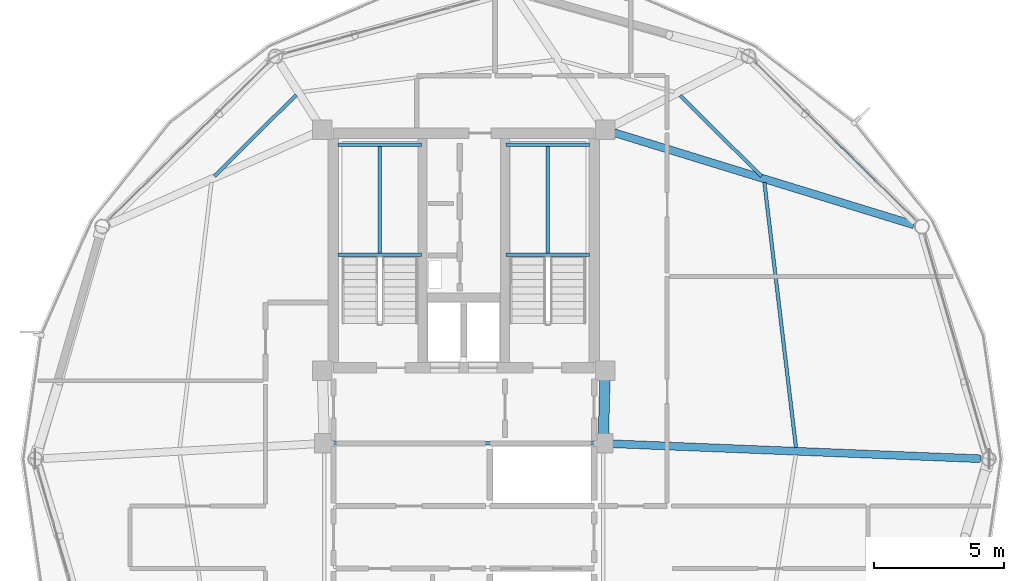
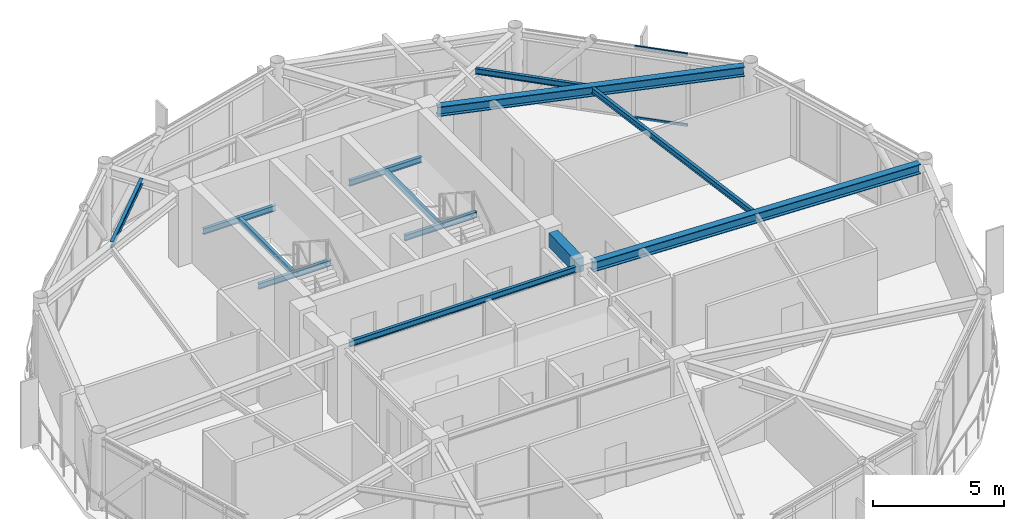
# One storey, part 13 of 25: 13 beams, 2 members, 1 element without a shape of its own.
"""IFC4 building model written with IfcOpenShell, lengths in metres."""

from ifc_helpers import new_model, si_unit, direction, frame, origin, origin_2d, place, context, subcontext, project, spatial, rectangle, hollow_rectangle, i_section, extrude, material, layer, layer_set, material_profile, profile_set, type_object, element, aggregate, save


model = new_model("IFC4")

# Units and contexts
model_context = context("Model", 3, precision=1e-05, world=origin(), true_north=direction((0.0, 1.0)))
body_context = subcontext(model_context, "Body", "Model", "MODEL_VIEW")
ifc_project = project(units=[si_unit("LENGTHUNIT", "METRE"), si_unit("AREAUNIT", "SQUARE_METRE"), si_unit("VOLUMEUNIT", "CUBIC_METRE"), si_unit("PLANEANGLEUNIT", "RADIAN"), si_unit("MASSUNIT", "GRAM", prefix="KILO")], contexts=[model_context])

# Site, building, storey
site_placement = place(None, origin())
site = spatial("IfcSite", under=ifc_project, at=site_placement, CompositionType="ELEMENT")
building_placement = place(site_placement, origin())
building = spatial("IfcBuilding", under=site, at=building_placement, Name="Varnakorn Sky Granary", CompositionType="ELEMENT")
storey_placement = place(building_placement, frame((0.0, 0.0, 259.800048828125)))
storey = spatial("IfcBuildingStorey", under=building, at=storey_placement, Name="L66", CompositionType="ELEMENT", Elevation=259.800048828125)

# Beams
ifc_material_1 = material(Name="Concrete C50/60", Category="concrete")
ifc_material_profile_1 = material_profile(ifc_material_1, rectangle(XDim=0.39990234375, YDim=0.64990234375, at=origin_2d()), Name="RC 400x650")
ifc_profile_set_1 = profile_set([ifc_material_profile_1], Name="Concrete C50/60")
beam_type_1 = type_object("IfcBeamType", Name="BM-LIN-650", PredefinedType="LINTEL", material=ifc_profile_set_1)
beam_1_placement = place(storey_placement, frame((8.4111328125, 3.025146484375, 3.034912109375), z_axis=(-0.025227817192, -0.999681727971, 0.0), x_axis=(0.999681727971, -0.025227817192, 0.0)))
element("IfcBeam", 1, at=beam_1_placement, inside=storey, type_object=beam_type_1, Name="Core Spine Framing Beam 2 L66", PredefinedType="LINTEL", context=body_context, shape_type="SweptSolid", body=[
    extrude(rectangle(XDim=0.39990234375, YDim=0.64990234375, at=origin_2d()), origin(), (0.0, 0.0, 1.0), 2.071044921875),
])
ifc_material_2 = material(Name="Steel S355JR", Category="steel")
ifc_material_profile_2 = material_profile(ifc_material_2, i_section(OverallWidth=0.135009765625, OverallDepth=0.27001953125, WebThickness=0.006591796875, FlangeThickness=0.01025390625, at=origin_2d()), Name="IPE 270")
ifc_profile_set_2 = profile_set([ifc_material_profile_2], Name="Steel S355JR")
beam_type_2 = type_object("IfcBeamType", Name="BM-LND-270", PredefinedType="BEAM", material=ifc_profile_set_2)
for number, where, z_axis, x_axis, name in (
    (2, (-1.820068359375, 7.840087890625, 1.46484375), (1.0, 0.0, 0.0), (0.0, 1.0, 0.0), "Stair ST-1 Landing Trimmer Beam A L66-1"),
    (3, (-1.820068359375, 12.06005859375, 1.46484375), (1.0, 0.0, 0.0), (0.0, 1.0, 0.0), "Stair ST-1 Landing Trimmer Beam B L66-1"),
):
    element("IfcBeam", number, at=place(storey_placement, frame(where, z_axis=z_axis, x_axis=x_axis)), inside=storey, type_object=beam_type_2, Name=name, PredefinedType="BEAM", context=body_context, shape_type="SweptSolid", body=[
        extrude(i_section(OverallWidth=0.135009765625, OverallDepth=0.27001953125, WebThickness=0.006591796875, FlangeThickness=0.01025390625, at=origin_2d()), origin(), (0.0, 0.0, 1.0), 3.199951171875),
    ])
beam_2_placement = place(storey_placement, frame((-0.219970703125, 7.840087890625, 1.46484375), z_axis=(0.0, 1.0, 0.0), x_axis=(-1.0, 0.0, 0.0)))
element("IfcBeam", 4, at=beam_2_placement, inside=storey, type_object=beam_type_2, Name="Stair ST-1 Landing Cross Beam C L66-1", PredefinedType="BEAM", context=body_context, shape_type="SweptSolid", body=[
    extrude(i_section(OverallWidth=0.135009765625, OverallDepth=0.27001953125, WebThickness=0.006591796875, FlangeThickness=0.01025390625, at=origin_2d()), origin(), (0.0, 0.0, 1.0), 4.219970703125),
])
for number, where, z_axis, x_axis, name in (
    (5, (4.6201171875, 7.840087890625, 1.46484375), (1.0, 0.0, 0.0), (0.0, 1.0, 0.0), "Stair ST-2 Landing Trimmer Beam A L66-1"),
    (6, (4.6201171875, 12.06005859375, 1.46484375), (1.0, 0.0, 0.0), (0.0, 1.0, 0.0), "Stair ST-2 Landing Trimmer Beam B L66-1"),
):
    element("IfcBeam", number, at=place(storey_placement, frame(where, z_axis=z_axis, x_axis=x_axis)), inside=storey, type_object=beam_type_2, Name=name, PredefinedType="BEAM", context=body_context, shape_type="SweptSolid", body=[
        extrude(i_section(OverallWidth=0.135009765625, OverallDepth=0.27001953125, WebThickness=0.006591796875, FlangeThickness=0.01025390625, at=origin_2d()), origin(), (0.0, 0.0, 1.0), 3.199951171875),
    ])
beam_3_placement = place(storey_placement, frame((6.219970703125, 7.840087890625, 1.46484375), z_axis=(0.0, 1.0, 0.0), x_axis=(-1.0, 0.0, 0.0)))
element("IfcBeam", 7, at=beam_3_placement, inside=storey, type_object=beam_type_2, Name="Stair ST-2 Landing Cross Beam C L66-1", PredefinedType="BEAM", context=body_context, shape_type="SweptSolid", body=[
    extrude(i_section(OverallWidth=0.135009765625, OverallDepth=0.27001953125, WebThickness=0.006591796875, FlangeThickness=0.01025390625, at=origin_2d()), origin(), (0.0, 0.0, 1.0), 4.219970703125),
])
ifc_material_profile_3 = material_profile(ifc_material_2, i_section(OverallWidth=0.300048828125, OverallDepth=0.449951171875, WebThickness=0.013916015625, FlangeThickness=0.02587890625, at=origin_2d()), Name="HE 450 B")
ifc_profile_set_3 = profile_set([ifc_material_profile_3], Name="Steel S355JR")
beam_type_3 = type_object("IfcBeamType", Name="BM-RAD-Z5", PredefinedType="BEAM", material=ifc_profile_set_3)
beam_4_placement = place(storey_placement, frame((8.70458984375, 0.58544921875, 3.135009765625), z_axis=(0.999170984413, -0.040710488919, 0.0), x_axis=(0.040710488919, 0.999170984413, 0.0)))
element("IfcBeam", 8, at=beam_4_placement, inside=storey, type_object=beam_type_3, Name="Radial Floor Girder RG01 L66", PredefinedType="BEAM", context=body_context, shape_type="SweptSolid", body=[
    extrude(i_section(OverallWidth=0.300048828125, OverallDepth=0.449951171875, WebThickness=0.013916015625, FlangeThickness=0.02587890625, at=origin_2d()), origin(), (0.0, 0.0, 1.0), 14.116943359375),
])
beam_5_placement = place(storey_placement, frame((8.75927734375, 12.515625, 3.135009765625), z_axis=(0.955840832803, -0.293884845384, 0.0), x_axis=(0.293884845384, 0.955840832803, 0.0)))
element("IfcBeam", 9, at=beam_5_placement, inside=storey, type_object=beam_type_3, Name="Radial Floor Girder RG02 L66", PredefinedType="BEAM", context=body_context, shape_type="SweptSolid", body=[
    extrude(i_section(OverallWidth=0.300048828125, OverallDepth=0.449951171875, WebThickness=0.013916015625, FlangeThickness=0.02587890625, at=origin_2d()), origin(), (0.0, 0.0, 1.0), 12.034912109375),
])
ifc_material_profile_4 = material_profile(ifc_material_2, i_section(OverallWidth=0.135009765625, OverallDepth=0.27001953125, WebThickness=0.006591796875, FlangeThickness=0.01025390625, at=origin_2d()), Name="IPE 270")
ifc_profile_set_4 = profile_set([ifc_material_profile_4], Name="Steel S355JR")
beam_type_4 = type_object("IfcBeamType", Name="BM-SEC-Z5", PredefinedType="BEAM", material=ifc_profile_set_4)
beam_6_placement = place(storey_placement, frame((15.740478515625, 0.437255859375, 3.224853515625), z_axis=(-0.118412093868, 0.992964539158, 0.0), x_axis=(-0.992964539158, -0.118412093868, 0.0)))
element("IfcBeam", 10, at=beam_6_placement, inside=storey, type_object=beam_type_4, Name="Secondary Floor Chord Beam MSB01 L66", PredefinedType="BEAM", context=body_context, shape_type="SweptSolid", body=[
    extrude(i_section(OverallWidth=0.135009765625, OverallDepth=0.27001953125, WebThickness=0.006591796875, FlangeThickness=0.01025390625, at=origin_2d()), origin(), (0.0, 0.0, 1.0), 10.242919921875),
])
beam_7_placement = place(storey_placement, frame((14.41162109375, 10.845947265625, 3.224853515625), z_axis=(-0.70941062991, 0.704795401639, 0.0), x_axis=(-0.704795401639, -0.70941062991, 0.0)))
element("IfcBeam", 11, at=beam_7_placement, inside=storey, type_object=beam_type_4, Name="Secondary Floor Chord Beam MSB02 L66", PredefinedType="BEAM", context=body_context, shape_type="SweptSolid", body=[
    extrude(i_section(OverallWidth=0.135009765625, OverallDepth=0.27001953125, WebThickness=0.006591796875, FlangeThickness=0.01025390625, at=origin_2d()), origin(), (0.0, 0.0, 1.0), 4.390625),
])
beam_8_placement = place(storey_placement, frame((-3.4306640625, 13.9580078125, 3.224853515625), z_axis=(-0.708514888736, -0.70569586398, 0.0), x_axis=(0.70569586398, -0.708514888736, 0.0)))
element("IfcBeam", 12, at=beam_8_placement, inside=storey, type_object=beam_type_4, Name="Secondary Floor Chord Beam MSB05 L66", PredefinedType="BEAM", context=body_context, shape_type="SweptSolid", body=[
    extrude(i_section(OverallWidth=0.135009765625, OverallDepth=0.27001953125, WebThickness=0.006591796875, FlangeThickness=0.01025390625, at=origin_2d()), origin(), (0.0, 0.0, 1.0), 4.416748046875),
])
beam_9_placement = place(storey_placement, frame((-1.9951171875, 0.60009765625, 3.224853515625), z_axis=(1.0, 0.0, 0.0), x_axis=(0.0, 1.0, 0.0)))
element("IfcBeam", 13, at=beam_9_placement, inside=storey, type_object=beam_type_4, Name="Core Spine Framing Beam 5 L66", PredefinedType="BEAM", context=body_context, shape_type="SweptSolid", body=[
    extrude(i_section(OverallWidth=0.135009765625, OverallDepth=0.27001953125, WebThickness=0.006591796875, FlangeThickness=0.01025390625, at=origin_2d()), origin(), (0.0, 0.0, 1.0), 9.990234375),
])

# Curtain wall, members
ifc_material_3 = material(Name="Anodised Bronze Aluminium Alloy 6063-T6", Category="aluminium")
ifc_layer = layer(ifc_material_3, 0.159912109375, Name="Anodised Bronze Aluminium Alloy 6063-T6")
ifc_layer_set = layer_set([ifc_layer], Name="Anodised Bronze Aluminium Alloy 6063-T6")
curtain_wall_type = type_object("IfcCurtainWallType", Name="CW-OFF-1", PredefinedType="USERDEFINED", material=ifc_layer_set)
curtain_wall_placement = place(storey_placement, origin())
curtain_wall = element("IfcCurtainWall", 14, at=curtain_wall_placement, inside=storey, type_object=curtain_wall_type, Name="Unitised Curtain Wall CW6 CW-L66-B02", ObjectType="CURTAIN WALL", PredefinedType="USERDEFINED")
ifc_material_profile_5 = material_profile(ifc_material_3, hollow_rectangle(XDim=0.06494140625, YDim=0.1201171875, WallThickness=0.00341796875, at=origin_2d()), Name="ALU TRAN 65x120")
ifc_profile_set_5 = profile_set([ifc_material_profile_5], Name="Anodised Bronze Aluminium Alloy 6063-T6")
member_type = type_object("IfcMemberType", Name="CW-OFF-1-TRAN", PredefinedType="USERDEFINED", material=ifc_profile_set_5)
member_1_placement = place(storey_placement, frame((17.274658203125, 12.159423828125, 0.032470703125), z_axis=(0.713374263044, -0.700783248106, 0.0), x_axis=(0.700783248106, 0.713374263044, 0.0)))
member_1 = element("IfcMember", 15, at=member_1_placement, type_object=member_type, Name="CW6 transom 3.1", ObjectType="TRANSOM", PredefinedType="USERDEFINED", context=body_context, shape_type="SweptSolid", body=[
    extrude(hollow_rectangle(XDim=0.06494140625, YDim=0.1201171875, WallThickness=0.00341796875, at=origin_2d()), origin(), (0.0, 0.0, 1.0), 2.09423828125),
])
member_2_placement = place(storey_placement, frame((17.274658203125, 12.159423828125, 3.327392578125), z_axis=(0.713374263044, -0.700783248106, 0.0), x_axis=(0.700783248106, 0.713374263044, 0.0)))
member_2 = element("IfcMember", 16, at=member_2_placement, type_object=member_type, Name="CW6 transom 3.2", ObjectType="TRANSOM", PredefinedType="USERDEFINED", context=body_context, shape_type="SweptSolid", body=[
    extrude(hollow_rectangle(XDim=0.06494140625, YDim=0.1201171875, WallThickness=0.00341796875, at=origin_2d()), origin(), (0.0, 0.0, 1.0), 2.09423828125),
])
aggregate(curtain_wall, [member_1, member_2])

save(model, "model.ifc")
